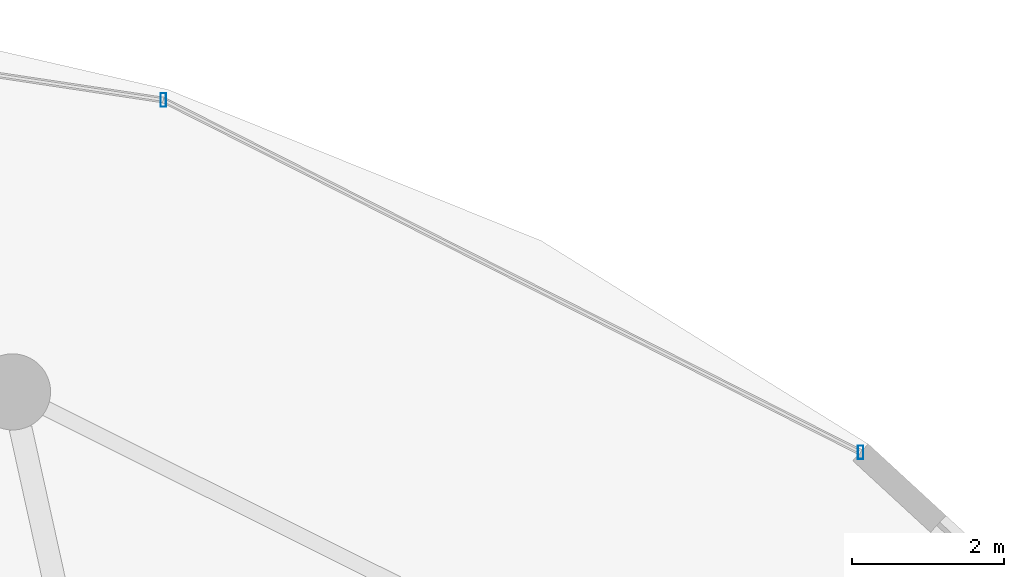
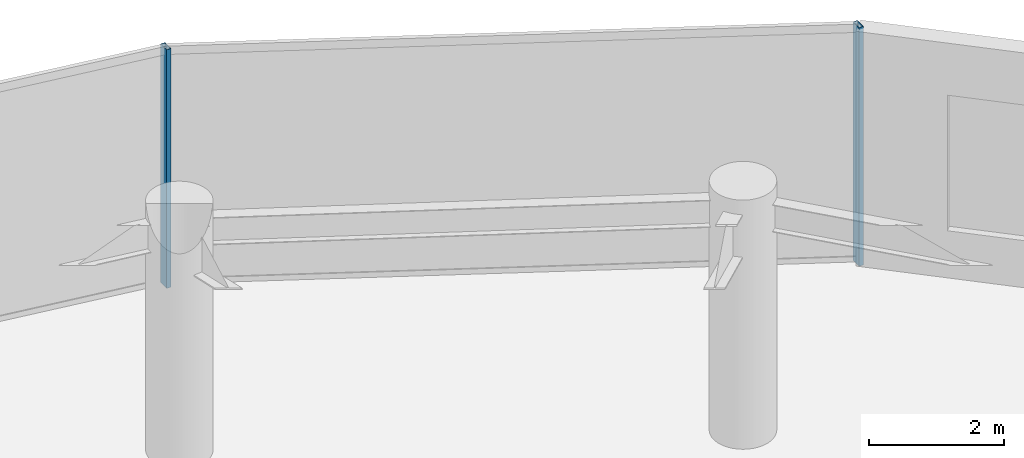
# One storey, part 22 of 31: 2 members, 1 element without a shape of its own.
"""IFC4 building model written with IfcOpenShell, lengths in metres."""

from ifc_helpers import new_model, si_unit, direction, frame, origin, origin_2d, place, context, subcontext, project, spatial, hollow_rectangle, extrude, material, material_profile, profile_set, type_object, element, aggregate, save


model = new_model("IFC4")

# Units and contexts
model_context = context("Model", 3, precision=1e-05, world=origin(), true_north=direction((0.0, 1.0)))
body_context = subcontext(model_context, "Body", "Model", "MODEL_VIEW")
ifc_project = project(units=[si_unit("LENGTHUNIT", "METRE"), si_unit("AREAUNIT", "SQUARE_METRE"), si_unit("VOLUMEUNIT", "CUBIC_METRE"), si_unit("PLANEANGLEUNIT", "RADIAN"), si_unit("MASSUNIT", "GRAM", prefix="KILO")], contexts=[model_context])

# Site, building, storey
site_placement = place(None, origin())
site = spatial("IfcSite", under=ifc_project, at=site_placement, CompositionType="ELEMENT")
building_placement = place(site_placement, origin())
building = spatial("IfcBuilding", under=site, at=building_placement, Name="Vorneva Point Tower", CompositionType="ELEMENT")
storey_placement = place(building_placement, frame((0.0, 0.0, 174.60009765625)))
storey = spatial("IfcBuildingStorey", under=building, at=storey_placement, Name="L47", CompositionType="ELEMENT", Elevation=174.60009765625)

# Curtain wall, members
ifc_material = material(Name="Pale anodised aluminium", Category="aluminium")
curtain_wall_type = type_object("IfcCurtainWallType", Name="CW-SKY-SYS", PredefinedType="NOTDEFINED", material=ifc_material)
curtain_wall_placement = place(storey_placement, origin())
curtain_wall = element("IfcCurtainWall", 1, at=curtain_wall_placement, inside=storey, type_object=curtain_wall_type, Name="L47 Unitised Curtain Wall CW-L47-R02", PredefinedType="NOTDEFINED")
ifc_material_profile = material_profile(ifc_material, hollow_rectangle(XDim=0.074951171875, YDim=0.179931640625, WallThickness=0.00390625, at=origin_2d()), Name="AL-MUL 180x75x4")
ifc_profile_set = profile_set([ifc_material_profile], Name="Pale anodised aluminium")
member_type = type_object("IfcMemberType", Name="CW-MUL-180", PredefinedType="MULLION", material=ifc_profile_set)
member_1_placement = place(storey_placement, frame((57.961669921875, 41.0966796875, -0.0400390625), z_axis=(0.0, 0.0, 1.0), x_axis=(1.0, 0.0, 0.0)))
member_1 = element("IfcMember", 2, at=member_1_placement, type_object=member_type, Name="CW-L47-R02 Mullion 01", PredefinedType="MULLION", context=body_context, shape_type="SweptSolid", body=[
    extrude(hollow_rectangle(XDim=0.074951171875, YDim=0.179931640625, WallThickness=0.00390625, at=origin_2d()), origin(), (0.0, 0.0, 1.0), 4.31005859375),
])
member_2_placement = place(storey_placement, frame((48.80322265625, 45.724853515625, -0.0400390625), z_axis=(0.0, 0.0, 1.0), x_axis=(1.0, 0.0, 0.0)))
member_2 = element("IfcMember", 3, at=member_2_placement, type_object=member_type, Name="CW-L47-R02 Mullion 02", PredefinedType="MULLION", context=body_context, shape_type="SweptSolid", body=[
    extrude(hollow_rectangle(XDim=0.074951171875, YDim=0.179931640625, WallThickness=0.00390625, at=origin_2d()), origin(), (0.0, 0.0, 1.0), 4.31005859375),
])
aggregate(curtain_wall, [member_1, member_2])

save(model, "model.ifc")
